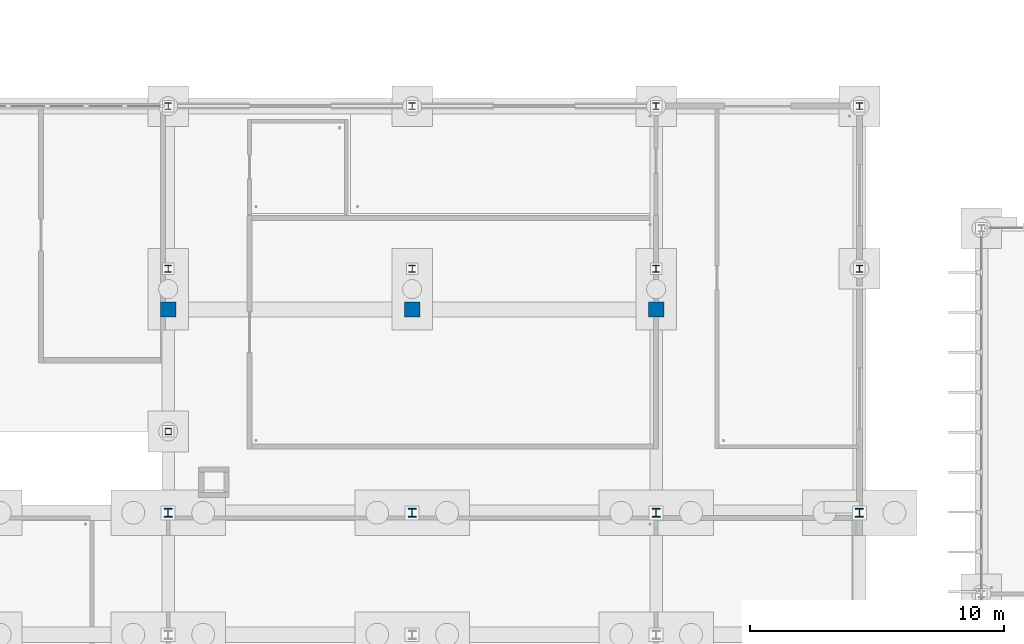
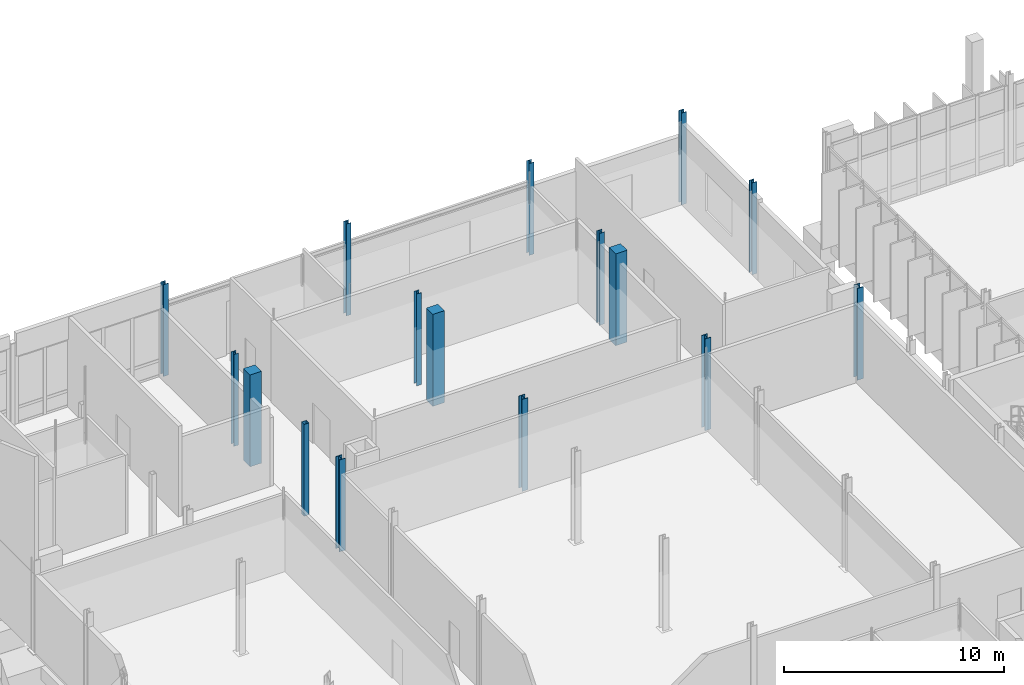
# One storey, part 15 of 111: 16 columns.
"""IFC4 building model written with IfcOpenShell, lengths in metres."""

from ifc_helpers import new_model, si_unit, direction, frame, origin, origin_2d, place, context, subcontext, project, spatial, rectangle, hollow_rectangle, i_section, extrude, material, material_profile, profile_set, type_object, element, save


model = new_model("IFC4")

# Units and contexts
model_context = context("Model", 3, precision=1e-05, world=origin(), true_north=direction((0.0, 1.0)))
body_context = subcontext(model_context, "Body", "Model", "MODEL_VIEW")
ifc_project = project(units=[si_unit("LENGTHUNIT", "METRE"), si_unit("AREAUNIT", "SQUARE_METRE"), si_unit("VOLUMEUNIT", "CUBIC_METRE"), si_unit("PLANEANGLEUNIT", "RADIAN"), si_unit("MASSUNIT", "GRAM", prefix="KILO")], contexts=[model_context])

# Site, building, storey
site_placement = place(None, origin())
site = spatial("IfcSite", under=ifc_project, at=site_placement, CompositionType="ELEMENT")
building_placement = place(site_placement, origin())
building = spatial("IfcBuilding", under=site, at=building_placement, Name="Dunescarp Central Library", CompositionType="ELEMENT")
storey_placement = place(building_placement, origin())
storey = spatial("IfcBuildingStorey", under=building, at=storey_placement, Name="L00", CompositionType="ELEMENT", Elevation=0.0)

# Columns
ifc_material_1 = material(Name="Concrete C40/50", Category="concrete")
ifc_material_profile_1 = material_profile(ifc_material_1, rectangle(XDim=0.60009765625, YDim=0.60009765625, at=origin_2d()), Name="RC 600x600")
ifc_profile_set_1 = profile_set([ifc_material_profile_1], Name="Concrete C40/50")
column_type_1 = type_object("IfcColumnType", Name="STR-COL-RC600", PredefinedType="COLUMN", material=ifc_profile_set_1)
for number, where, z_axis, x_axis, name in (
    (1, (97.60009765625, 41.60009765625, 0.0), (0.0, 0.0, 1.0), (1.0, 0.0, 0.0), "L00 column TERP-976-416"),
    (2, (107.199951171875, 41.60009765625, 0.0), (0.0, 0.0, 1.0), (1.0, 0.0, 0.0), "L00 column TERP-1072-416"),
    (3, (116.800048828125, 41.60009765625, 0.0), (0.0, 0.0, 1.0), (1.0, 0.0, 0.0), "L00 column TERP-1168-416"),
):
    element("IfcColumn", number, at=place(storey_placement, frame(where, z_axis=z_axis, x_axis=x_axis)), inside=storey, type_object=column_type_1, Name=name, PredefinedType="COLUMN", context=body_context, shape_type="SweptSolid", body=[
        extrude(rectangle(XDim=0.60009765625, YDim=0.60009765625, at=origin_2d()), origin(), (0.0, 0.0, 1.0), 5.10009765625),
    ])
ifc_material_2 = material(Name="Steel S355J0", Category="steel")
ifc_material_profile_2 = material_profile(ifc_material_2, hollow_rectangle(XDim=0.25, YDim=0.25, WallThickness=0.010009765625, at=origin_2d()), Name="SHS 250x250x10")
ifc_profile_set_2 = profile_set([ifc_material_profile_2], Name="Steel S355J0")
column_type_2 = type_object("IfcColumnType", Name="STR-COL-SHS250", PredefinedType="COLUMN", material=ifc_profile_set_2)
column_placement = place(storey_placement, frame((97.60009765625, 36.800048828125, 0.0), z_axis=(0.0, 0.0, 1.0), x_axis=(1.0, 0.0, 0.0)))
element("IfcColumn", 4, at=column_placement, inside=storey, type_object=column_type_2, Name="L00 column CLN-976-368", PredefinedType="COLUMN", context=body_context, shape_type="SweptSolid", body=[
    extrude(hollow_rectangle(XDim=0.25, YDim=0.25, WallThickness=0.010009765625, at=origin_2d()), origin(), (0.0, 0.0, 1.0), 5.10009765625),
])
ifc_material_3 = material(Name="Steel S355JR", Category="steel")
ifc_material_profile_3 = material_profile(ifc_material_3, i_section(OverallWidth=0.25634765625, OverallDepth=0.26025390625, WebThickness=0.01025390625, FlangeThickness=0.017333984375, at=origin_2d()), Name="UC 254x254x89")
ifc_profile_set_3 = profile_set([ifc_material_profile_3], Name="Steel S355JR")
column_type_3 = type_object("IfcColumnType", Name="STR-COL-UC254X89", PredefinedType="COLUMN", material=ifc_profile_set_3)
for number, where, z_axis, x_axis, name in (
    (5, (97.60009765625, 43.199951171875, 0.0), (0.0, 0.0, 1.0), (1.0, 0.0, 0.0), "L00 column V3D-976-432"),
    (6, (97.60009765625, 49.60009765625, 0.0), (0.0, 0.0, 1.0), (1.0, 0.0, 0.0), "L00 column V3D-976-496"),
    (7, (107.199951171875, 43.199951171875, 0.0), (0.0, 0.0, 1.0), (1.0, 0.0, 0.0), "L00 column V3D-1072-432"),
    (8, (107.199951171875, 49.60009765625, 0.0), (0.0, 0.0, 1.0), (1.0, 0.0, 0.0), "L00 column V3D-1072-496"),
    (9, (116.800048828125, 43.199951171875, 0.0), (0.0, 0.0, 1.0), (1.0, 0.0, 0.0), "L00 column V3D-1168-432"),
    (10, (116.800048828125, 49.60009765625, 0.0), (0.0, 0.0, 1.0), (1.0, 0.0, 0.0), "L00 column V3D-1168-496"),
    (11, (124.800048828125, 43.199951171875, 0.0), (0.0, 0.0, 1.0), (1.0, 0.0, 0.0), "L00 column V3D-1248-432"),
    (12, (124.800048828125, 49.60009765625, 0.0), (0.0, 0.0, 1.0), (1.0, 0.0, 0.0), "L00 column V3D-1248-496"),
):
    element("IfcColumn", number, at=place(storey_placement, frame(where, z_axis=z_axis, x_axis=x_axis)), inside=storey, type_object=column_type_3, Name=name, PredefinedType="COLUMN", context=body_context, shape_type="SweptSolid", body=[
        extrude(i_section(OverallWidth=0.25634765625, OverallDepth=0.26025390625, WebThickness=0.01025390625, FlangeThickness=0.017333984375, at=origin_2d()), origin(), (0.0, 0.0, 1.0), 5.10009765625),
    ])
ifc_material_profile_4 = material_profile(ifc_material_3, i_section(OverallWidth=0.314453125, OverallDepth=0.33984375, WebThickness=0.01904296875, FlangeThickness=0.031494140625, at=origin_2d()), Name="UC 305x305x198")
ifc_profile_set_4 = profile_set([ifc_material_profile_4], Name="Steel S355JR")
column_type_4 = type_object("IfcColumnType", Name="STR-COL-UC305X198", PredefinedType="COLUMN", material=ifc_profile_set_4)
for number, where, z_axis, x_axis, name in (
    (13, (97.60009765625, 33.60009765625, 0.0), (0.0, 0.0, 1.0), (1.0, 0.0, 0.0), "L00 column V3-976-336"),
    (14, (107.199951171875, 33.60009765625, 0.0), (0.0, 0.0, 1.0), (1.0, 0.0, 0.0), "L00 column V3-1072-336"),
    (15, (116.800048828125, 33.60009765625, 0.0), (0.0, 0.0, 1.0), (1.0, 0.0, 0.0), "L00 column V3-1168-336"),
    (16, (124.800048828125, 33.60009765625, 0.0), (0.0, 0.0, 1.0), (1.0, 0.0, 0.0), "L00 column V3-1248-336"),
):
    element("IfcColumn", number, at=place(storey_placement, frame(where, z_axis=z_axis, x_axis=x_axis)), inside=storey, type_object=column_type_4, Name=name, PredefinedType="COLUMN", context=body_context, shape_type="SweptSolid", body=[
        extrude(i_section(OverallWidth=0.314453125, OverallDepth=0.33984375, WebThickness=0.01904296875, FlangeThickness=0.031494140625, at=origin_2d()), origin(), (0.0, 0.0, 1.0), 5.10009765625),
    ])

save(model, "model.ifc")
